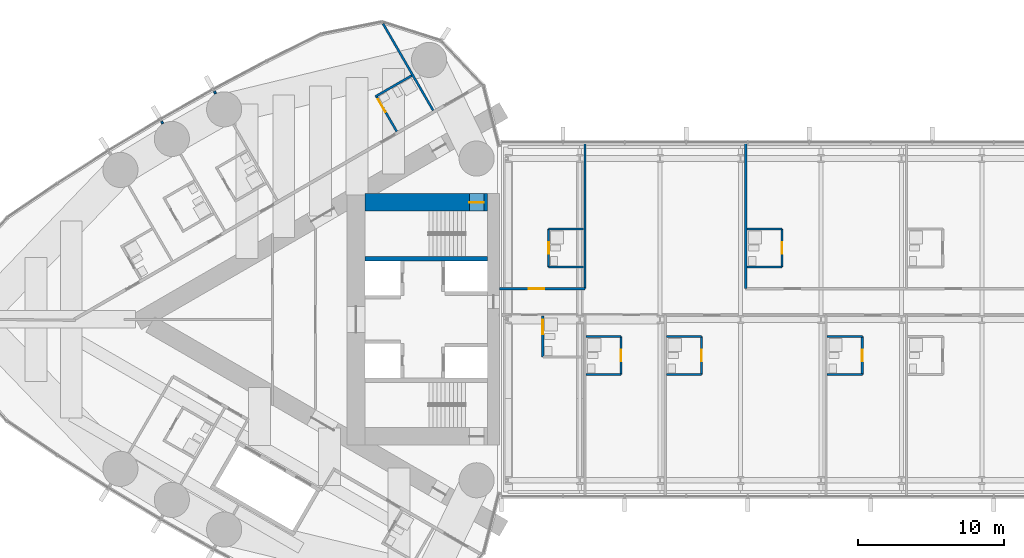
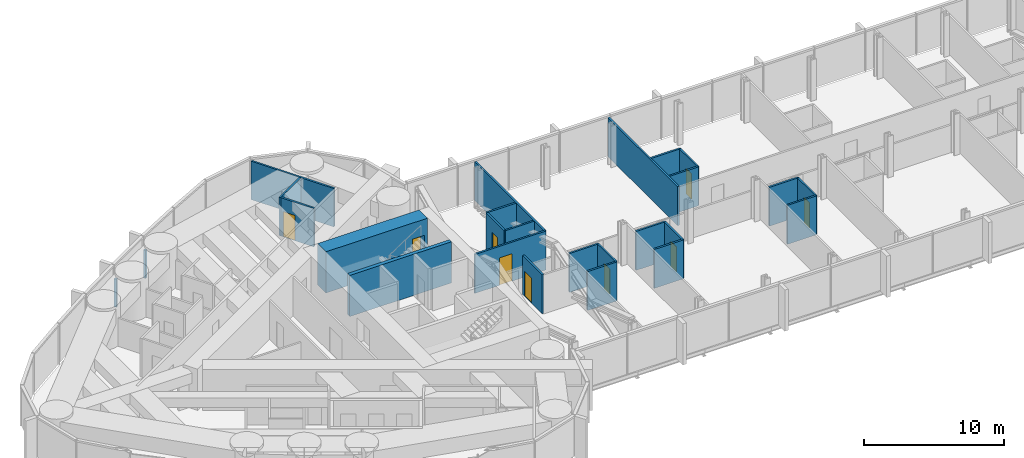
# One storey, part 17 of 24: 26 walls, 9 doors, 9 openings.
"""IFC4 building model written with IfcOpenShell, lengths in metres."""

from ifc_helpers import new_model, si_unit, direction, frame, frame_2d, origin, place, context, subcontext, project, spatial, rectangle, extrude, material, layer, layer_set, type_object, element, fill, save


model = new_model("IFC4")

# Units and contexts
model_context = context("Model", 3, precision=1e-05, world=origin(), true_north=direction((0.0, 1.0)))
body_context = subcontext(model_context, "Body", "Model", "MODEL_VIEW")
ifc_project = project(units=[si_unit("LENGTHUNIT", "METRE"), si_unit("AREAUNIT", "SQUARE_METRE"), si_unit("VOLUMEUNIT", "CUBIC_METRE"), si_unit("PLANEANGLEUNIT", "RADIAN"), si_unit("MASSUNIT", "GRAM", prefix="KILO")], contexts=[model_context])

# Site, building, storey
site_placement = place(None, origin())
site = spatial("IfcSite", under=ifc_project, at=site_placement, CompositionType="ELEMENT")
building_placement = place(site_placement, origin())
building = spatial("IfcBuilding", under=site, at=building_placement, Name="Lancet Gate Hotel", CompositionType="ELEMENT")
storey_placement = place(building_placement, frame((0.0, 0.0, 236.89990234375)))
storey = spatial("IfcBuildingStorey", under=building, at=storey_placement, Name="L63", CompositionType="ELEMENT", Elevation=236.89990234375)

# Wall
ifc_material_1 = material(Name="Moisture resistant board partition")
ifc_layer_1 = layer(ifc_material_1, 0.14990234375)
ifc_layer_set_1 = layer_set([ifc_layer_1], Name="Bathroom wall 150")
wall_type_1 = type_object("IfcWallType", Name="Bathroom wall 150", PredefinedType="PARTITIONING", material=ifc_layer_set_1)
wall_1_placement = place(storey_placement, frame((-33.486572265625, 16.6748046875, 0.0), z_axis=(0.0, 0.0, 1.0), x_axis=(-0.866039941686, -0.499974818771, 0.0)))
element("IfcWall", 1, at=wall_1_placement, inside=storey, type_object=wall_type_1, Name="T1 bathroom wall 150 L63", PredefinedType="PARTITIONING", context=body_context, shape_type="SweptSolid", body=[
    extrude(rectangle(XDim=2.875244140625, YDim=0.14990234375, at=frame_2d((1.4375, 0.0))), origin(), (0.0, 0.0, 1.0), 3.35009765625),
])

# Wall, opening, door
wall_2_placement = place(storey_placement, frame((-34.511474609375, 12.849853515625, 0.0), z_axis=(0.0, 0.0, 1.0), x_axis=(-0.500011755427, 0.866018616679, 0.0)))
wall_2 = element("IfcWall", 2, at=wall_2_placement, inside=storey, type_object=wall_type_1, Name="T1 bathroom wall 150 L63", PredefinedType="PARTITIONING", context=body_context, shape_type="SweptSolid", body=[
    extrude(rectangle(XDim=2.80029296875, YDim=0.14990234375, at=frame_2d((1.400146484375, 0.0))), origin(), (0.0, 0.0, 1.0), 3.35009765625),
])
opening_1_placement = place(wall_2_placement, frame((1.550048828125, 0.0, 0.0)))
opening_1 = element("IfcOpeningElement", 3, at=opening_1_placement, cuts=wall_2, Name="Opening 6302-B", PredefinedType="OPENING", context=body_context, shape_type="SweptSolid", body=[
    extrude(rectangle(XDim=1.0, YDim=2.199951171875, at=frame_2d((0.5, 1.10009765625))), frame((0.0, 0.0849609375, 0.0), z_axis=(0.0, -1.0, 0.0), x_axis=(1.0, 0.0, 0.0)), (0.0, 0.0, 1.0), 0.169921875),
])
ifc_material_2 = material(Name="Timber door set", Category="wood")
door_type_1 = type_object("IfcDoorType", Name="Accessible en-suite door 1000", OperationType="SINGLE_SWING_RIGHT", PredefinedType="DOOR", material=ifc_material_2)
door_1_placement = place(opening_1_placement, origin())
door_1 = element("IfcDoor", 4, at=door_1_placement, inside=storey, type_object=door_type_1, Name="6302-B", OperationType="SINGLE_SWING_RIGHT", OverallHeight=2.199951171875, OverallWidth=1.0, PredefinedType="DOOR", context=body_context, shape_type="SweptSolid", body=[
    extrude(rectangle(XDim=1.0, YDim=2.199951171875, at=frame_2d((0.5, 1.10009765625))), frame((0.0, 0.02490234375, 0.0), z_axis=(0.0, -1.0, 0.0), x_axis=(1.0, 0.0, 0.0)), (0.0, 0.0, 1.0), 0.050048828125),
])
fill(opening_1, door_1)

wall_3_placement = place(storey_placement, frame((-24.52490234375, -2.574951171875, 0.0), z_axis=(0.0, 0.0, 1.0), x_axis=(0.0, 1.0, 0.0)))
wall_3 = element("IfcWall", 5, at=wall_3_placement, inside=storey, type_object=wall_type_1, Name="Bridge block bathroom wall 150 L63", PredefinedType="PARTITIONING", context=body_context, shape_type="SweptSolid", body=[
    extrude(rectangle(XDim=2.800048828125, YDim=0.14990234375, at=frame_2d((1.39990234375, 0.0))), origin(), (0.0, 0.0, 1.0), 3.400146484375),
])
opening_2_placement = place(wall_3_placement, frame((1.550048828125, 0.0, 0.0)))
opening_2 = element("IfcOpeningElement", 6, at=opening_2_placement, cuts=wall_3, Name="Opening B6301-B", PredefinedType="OPENING", context=body_context, shape_type="SweptSolid", body=[
    extrude(rectangle(XDim=1.0, YDim=2.199951171875, at=frame_2d((0.5, 1.10009765625))), frame((0.0, 0.0849609375, 0.0), z_axis=(0.0, -1.0, 0.0), x_axis=(1.0, 0.0, 0.0)), (0.0, 0.0, 1.0), 0.169921875),
])
door_2_placement = place(opening_2_placement, origin())
door_2 = element("IfcDoor", 7, at=door_2_placement, inside=storey, type_object=door_type_1, Name="B6301-B", OperationType="SINGLE_SWING_RIGHT", OverallHeight=2.199951171875, OverallWidth=1.0, PredefinedType="DOOR", context=body_context, shape_type="SweptSolid", body=[
    extrude(rectangle(XDim=1.0, YDim=2.199951171875, at=frame_2d((0.5, 1.10009765625))), frame((0.0, 0.02490234375, 0.0), z_axis=(0.0, -1.0, 0.0), x_axis=(1.0, 0.0, 0.0)), (0.0, 0.0, 1.0), 0.050048828125),
])
fill(opening_2, door_2)

# Walls
for number, where, z_axis, x_axis, name in (
    (8, (-21.574951171875, -3.77490234375, 0.0), (0.0, 0.0, 1.0), (1.0, 0.0, 0.0), "Bridge block bathroom wall 150 L63"),
    (9, (-21.574951171875, -1.175048828125, 0.0), (0.0, 0.0, 1.0), (1.0, 0.0, 0.0), "Bridge block bathroom wall 150 L63"),
):
    element("IfcWall", number, at=place(storey_placement, frame(where, z_axis=z_axis, x_axis=x_axis)), inside=storey, type_object=wall_type_1, Name=name, PredefinedType="PARTITIONING", context=body_context, shape_type="SweptSolid", body=[
        extrude(rectangle(XDim=2.39990234375, YDim=0.14990234375, at=frame_2d((1.199951171875, 0.0))), origin(), (0.0, 0.0, 1.0), 3.400146484375),
    ])

# Wall, opening, door
wall_4_placement = place(storey_placement, frame((-19.175048828125, -3.77490234375, 0.0), z_axis=(0.0, 0.0, 1.0), x_axis=(0.0, 1.0, 0.0)))
wall_4 = element("IfcWall", 10, at=wall_4_placement, inside=storey, type_object=wall_type_1, Name="Bridge block bathroom wall 150 L63", PredefinedType="PARTITIONING", context=body_context, shape_type="SweptSolid", body=[
    extrude(rectangle(XDim=2.599853515625, YDim=0.14990234375, at=frame_2d((1.2998046875, 0.0))), origin(), (0.0, 0.0, 1.0), 3.400146484375),
])
opening_3_placement = place(wall_4_placement, frame((0.89990234375, 0.0, 0.0)))
opening_3 = element("IfcOpeningElement", 11, at=opening_3_placement, cuts=wall_4, Name="Opening B6302-B", PredefinedType="OPENING", context=body_context, shape_type="SweptSolid", body=[
    extrude(rectangle(XDim=0.800048828125, YDim=2.199951171875, at=frame_2d((0.39990234375, 1.10009765625))), frame((0.0, 0.0849609375, 0.0), z_axis=(0.0, -1.0, 0.0), x_axis=(1.0, 0.0, 0.0)), (0.0, 0.0, 1.0), 0.169921875),
])
ifc_material_3 = material(Name="Timber door set", Category="wood")
door_type_2 = type_object("IfcDoorType", Name="Bathroom door 800", OperationType="SINGLE_SWING_RIGHT", PredefinedType="DOOR", material=ifc_material_3)
door_3_placement = place(opening_3_placement, origin())
door_3 = element("IfcDoor", 12, at=door_3_placement, inside=storey, type_object=door_type_2, Name="B6302-B", OperationType="SINGLE_SWING_RIGHT", OverallHeight=2.199951171875, OverallWidth=0.800048828125, PredefinedType="DOOR", context=body_context, shape_type="SweptSolid", body=[
    extrude(rectangle(XDim=0.800048828125, YDim=2.199951171875, at=frame_2d((0.39990234375, 1.10009765625))), frame((0.0, 0.02490234375, 0.0), z_axis=(0.0, -1.0, 0.0), x_axis=(1.0, 0.0, 0.0)), (0.0, 0.0, 1.0), 0.050048828125),
])
fill(opening_3, door_3)

# Walls
for number, where, z_axis, x_axis, name in (
    (13, (-16.074951171875, -3.77490234375, 0.0), (0.0, 0.0, 1.0), (1.0, 0.0, 0.0), "Bridge block bathroom wall 150 L63"),
    (14, (-16.074951171875, -1.175048828125, 0.0), (0.0, 0.0, 1.0), (1.0, 0.0, 0.0), "Bridge block bathroom wall 150 L63"),
):
    element("IfcWall", number, at=place(storey_placement, frame(where, z_axis=z_axis, x_axis=x_axis)), inside=storey, type_object=wall_type_1, Name=name, PredefinedType="PARTITIONING", context=body_context, shape_type="SweptSolid", body=[
        extrude(rectangle(XDim=2.39990234375, YDim=0.14990234375, at=frame_2d((1.199951171875, 0.0))), origin(), (0.0, 0.0, 1.0), 3.400146484375),
    ])

# Wall, opening, door
wall_5_placement = place(storey_placement, frame((-13.675048828125, -3.77490234375, 0.0), z_axis=(0.0, 0.0, 1.0), x_axis=(0.0, 1.0, 0.0)))
wall_5 = element("IfcWall", 15, at=wall_5_placement, inside=storey, type_object=wall_type_1, Name="Bridge block bathroom wall 150 L63", PredefinedType="PARTITIONING", context=body_context, shape_type="SweptSolid", body=[
    extrude(rectangle(XDim=2.599853515625, YDim=0.14990234375, at=frame_2d((1.2998046875, 0.0))), origin(), (0.0, 0.0, 1.0), 3.400146484375),
])
opening_4_placement = place(wall_5_placement, frame((0.89990234375, 0.0, 0.0)))
opening_4 = element("IfcOpeningElement", 16, at=opening_4_placement, cuts=wall_5, Name="Opening B6303-B", PredefinedType="OPENING", context=body_context, shape_type="SweptSolid", body=[
    extrude(rectangle(XDim=0.800048828125, YDim=2.199951171875, at=frame_2d((0.39990234375, 1.10009765625))), frame((0.0, 0.0849609375, 0.0), z_axis=(0.0, -1.0, 0.0), x_axis=(1.0, 0.0, 0.0)), (0.0, 0.0, 1.0), 0.169921875),
])
door_4_placement = place(opening_4_placement, origin())
door_4 = element("IfcDoor", 17, at=door_4_placement, inside=storey, type_object=door_type_2, Name="B6303-B", OperationType="SINGLE_SWING_RIGHT", OverallHeight=2.199951171875, OverallWidth=0.800048828125, PredefinedType="DOOR", context=body_context, shape_type="SweptSolid", body=[
    extrude(rectangle(XDim=0.800048828125, YDim=2.199951171875, at=frame_2d((0.39990234375, 1.10009765625))), frame((0.0, 0.02490234375, 0.0), z_axis=(0.0, -1.0, 0.0), x_axis=(1.0, 0.0, 0.0)), (0.0, 0.0, 1.0), 0.050048828125),
])
fill(opening_4, door_4)

# Walls
for number, where, z_axis, x_axis, name in (
    (18, (-5.074951171875, -3.77490234375, 0.0), (0.0, 0.0, 1.0), (1.0, 0.0, 0.0), "Bridge block bathroom wall 150 L63"),
    (19, (-5.074951171875, -1.175048828125, 0.0), (0.0, 0.0, 1.0), (1.0, 0.0, 0.0), "Bridge block bathroom wall 150 L63"),
):
    element("IfcWall", number, at=place(storey_placement, frame(where, z_axis=z_axis, x_axis=x_axis)), inside=storey, type_object=wall_type_1, Name=name, PredefinedType="PARTITIONING", context=body_context, shape_type="SweptSolid", body=[
        extrude(rectangle(XDim=2.39990234375, YDim=0.14990234375, at=frame_2d((1.199951171875, 0.0))), origin(), (0.0, 0.0, 1.0), 3.400146484375),
    ])

# Wall, opening, door
wall_6_placement = place(storey_placement, frame((-2.675048828125, -3.77490234375, 0.0), z_axis=(0.0, 0.0, 1.0), x_axis=(0.0, 1.0, 0.0)))
wall_6 = element("IfcWall", 20, at=wall_6_placement, inside=storey, type_object=wall_type_1, Name="Bridge block bathroom wall 150 L63", PredefinedType="PARTITIONING", context=body_context, shape_type="SweptSolid", body=[
    extrude(rectangle(XDim=2.599853515625, YDim=0.14990234375, at=frame_2d((1.2998046875, 0.0))), origin(), (0.0, 0.0, 1.0), 3.400146484375),
])
opening_5_placement = place(wall_6_placement, frame((0.89990234375, 0.0, 0.0)))
opening_5 = element("IfcOpeningElement", 21, at=opening_5_placement, cuts=wall_6, Name="Opening B6305-B", PredefinedType="OPENING", context=body_context, shape_type="SweptSolid", body=[
    extrude(rectangle(XDim=0.800048828125, YDim=2.199951171875, at=frame_2d((0.39990234375, 1.10009765625))), frame((0.0, 0.0849609375, 0.0), z_axis=(0.0, -1.0, 0.0), x_axis=(1.0, 0.0, 0.0)), (0.0, 0.0, 1.0), 0.169921875),
])
door_5_placement = place(opening_5_placement, origin())
door_5 = element("IfcDoor", 22, at=door_5_placement, inside=storey, type_object=door_type_2, Name="B6305-B", OperationType="SINGLE_SWING_RIGHT", OverallHeight=2.199951171875, OverallWidth=0.800048828125, PredefinedType="DOOR", context=body_context, shape_type="SweptSolid", body=[
    extrude(rectangle(XDim=0.800048828125, YDim=2.199951171875, at=frame_2d((0.39990234375, 1.10009765625))), frame((0.0, 0.02490234375, 0.0), z_axis=(0.0, -1.0, 0.0), x_axis=(1.0, 0.0, 0.0)), (0.0, 0.0, 1.0), 0.050048828125),
])
fill(opening_5, door_5)

# Walls
for number, where, z_axis, x_axis, name in (
    (23, (-24.125, 6.175048828125, 0.0), (0.0, 0.0, 1.0), (1.0, 0.0, 0.0), "Bridge block bathroom wall 150 L63"),
    (24, (-24.125, 3.574951171875, 0.0), (0.0, 0.0, 1.0), (1.0, 0.0, 0.0), "Bridge block bathroom wall 150 L63"),
):
    element("IfcWall", number, at=place(storey_placement, frame(where, z_axis=z_axis, x_axis=x_axis)), inside=storey, type_object=wall_type_1, Name=name, PredefinedType="PARTITIONING", context=body_context, shape_type="SweptSolid", body=[
        extrude(rectangle(XDim=2.39990234375, YDim=0.14990234375, at=frame_2d((1.199951171875, 0.0))), origin(), (0.0, 0.0, 1.0), 3.400146484375),
    ])

# Wall, opening, door
wall_7_placement = place(storey_placement, frame((-24.125, 3.574951171875, 0.0), z_axis=(0.0, 0.0, 1.0), x_axis=(0.0, 1.0, 0.0)))
wall_7 = element("IfcWall", 25, at=wall_7_placement, inside=storey, type_object=wall_type_1, Name="Bridge block bathroom wall 150 L63", PredefinedType="PARTITIONING", context=body_context, shape_type="SweptSolid", body=[
    extrude(rectangle(XDim=2.60009765625, YDim=0.14990234375, at=frame_2d((1.300048828125, 0.0))), origin(), (0.0, 0.0, 1.0), 3.400146484375),
])
opening_6_placement = place(wall_7_placement, frame((0.89990234375, 0.0, 0.0)))
opening_6 = element("IfcOpeningElement", 26, at=opening_6_placement, cuts=wall_7, Name="Opening B6311-B", PredefinedType="OPENING", context=body_context, shape_type="SweptSolid", body=[
    extrude(rectangle(XDim=0.800048828125, YDim=2.199951171875, at=frame_2d((0.39990234375, 1.10009765625))), frame((0.0, 0.0849609375, 0.0), z_axis=(0.0, -1.0, 0.0), x_axis=(1.0, 0.0, 0.0)), (0.0, 0.0, 1.0), 0.169921875),
])
door_6_placement = place(opening_6_placement, origin())
door_6 = element("IfcDoor", 27, at=door_6_placement, inside=storey, type_object=door_type_2, Name="B6311-B", OperationType="SINGLE_SWING_RIGHT", OverallHeight=2.199951171875, OverallWidth=0.800048828125, PredefinedType="DOOR", context=body_context, shape_type="SweptSolid", body=[
    extrude(rectangle(XDim=0.800048828125, YDim=2.199951171875, at=frame_2d((0.39990234375, 1.10009765625))), frame((0.0, 0.02490234375, 0.0), z_axis=(0.0, -1.0, 0.0), x_axis=(1.0, 0.0, 0.0)), (0.0, 0.0, 1.0), 0.050048828125),
])
fill(opening_6, door_6)

# Walls
for number, where, z_axis, x_axis, name in (
    (28, (-10.574951171875, 6.175048828125, 0.0), (0.0, 0.0, 1.0), (1.0, 0.0, 0.0), "Bridge block bathroom wall 150 L63"),
    (29, (-10.574951171875, 3.574951171875, 0.0), (0.0, 0.0, 1.0), (1.0, 0.0, 0.0), "Bridge block bathroom wall 150 L63"),
):
    element("IfcWall", number, at=place(storey_placement, frame(where, z_axis=z_axis, x_axis=x_axis)), inside=storey, type_object=wall_type_1, Name=name, PredefinedType="PARTITIONING", context=body_context, shape_type="SweptSolid", body=[
        extrude(rectangle(XDim=2.39990234375, YDim=0.14990234375, at=frame_2d((1.199951171875, 0.0))), origin(), (0.0, 0.0, 1.0), 3.400146484375),
    ])

# Wall, opening, door
wall_8_placement = place(storey_placement, frame((-8.175048828125, 3.574951171875, 0.0), z_axis=(0.0, 0.0, 1.0), x_axis=(0.0, 1.0, 0.0)))
wall_8 = element("IfcWall", 30, at=wall_8_placement, inside=storey, type_object=wall_type_1, Name="Bridge block bathroom wall 150 L63", PredefinedType="PARTITIONING", context=body_context, shape_type="SweptSolid", body=[
    extrude(rectangle(XDim=2.60009765625, YDim=0.14990234375, at=frame_2d((1.300048828125, 0.0))), origin(), (0.0, 0.0, 1.0), 3.400146484375),
])
opening_7_placement = place(wall_8_placement, frame((0.89990234375, 0.0, 0.0)))
opening_7 = element("IfcOpeningElement", 31, at=opening_7_placement, cuts=wall_8, Name="Opening B6314-B", PredefinedType="OPENING", context=body_context, shape_type="SweptSolid", body=[
    extrude(rectangle(XDim=0.800048828125, YDim=2.199951171875, at=frame_2d((0.39990234375, 1.10009765625))), frame((0.0, 0.0849609375, 0.0), z_axis=(0.0, -1.0, 0.0), x_axis=(1.0, 0.0, 0.0)), (0.0, 0.0, 1.0), 0.169921875),
])
door_7_placement = place(opening_7_placement, origin())
door_7 = element("IfcDoor", 32, at=door_7_placement, inside=storey, type_object=door_type_2, Name="B6314-B", OperationType="SINGLE_SWING_RIGHT", OverallHeight=2.199951171875, OverallWidth=0.800048828125, PredefinedType="DOOR", context=body_context, shape_type="SweptSolid", body=[
    extrude(rectangle(XDim=0.800048828125, YDim=2.199951171875, at=frame_2d((0.39990234375, 1.10009765625))), frame((0.0, 0.02490234375, 0.0), z_axis=(0.0, -1.0, 0.0), x_axis=(1.0, 0.0, 0.0)), (0.0, 0.0, 1.0), 0.050048828125),
])
fill(opening_7, door_7)

ifc_material_4 = material(Name="Gypsum board partition")
ifc_layer_2 = layer(ifc_material_4, 0.14990234375)
ifc_layer_set_2 = layer_set([ifc_layer_2], Name="Block corridor wall 150")
wall_type_2 = type_object("IfcWallType", Name="Block corridor wall 150", PredefinedType="PARTITIONING", material=ifc_layer_set_2)
wall_9_placement = place(storey_placement, frame((-27.5, 2.10009765625, 0.0), z_axis=(0.0, 0.0, 1.0), x_axis=(1.0, 0.0, 0.0)))
wall_9 = element("IfcWall", 33, at=wall_9_placement, inside=storey, type_object=wall_type_2, Name="Bridge block block corridor wall 150 L63", PredefinedType="PARTITIONING", context=body_context, shape_type="SweptSolid", body=[
    extrude(rectangle(XDim=5.85009765625, YDim=0.14990234375, at=frame_2d((2.925048828125, 0.0))), origin(), (0.0, 0.0, 1.0), 3.400146484375),
])
opening_8_placement = place(wall_9_placement, frame((2.02490234375, 0.0, 0.0)))
opening_8 = element("IfcOpeningElement", 34, at=opening_8_placement, cuts=wall_9, Name="Opening B6311", PredefinedType="OPENING", context=body_context, shape_type="SweptSolid", body=[
    extrude(rectangle(XDim=1.050048828125, YDim=2.39990234375, at=frame_2d((0.52490234375, 1.199951171875))), frame((0.0, 0.0849609375, 0.0), z_axis=(0.0, -1.0, 0.0), x_axis=(1.0, 0.0, 0.0)), (0.0, 0.0, 1.0), 0.169921875),
])
ifc_material_5 = material(Name="Timber door set", Category="wood")
door_type_3 = type_object("IfcDoorType", Name="Suite entry door 1050", OperationType="SINGLE_SWING_LEFT", PredefinedType="DOOR", material=ifc_material_5)
door_8_placement = place(opening_8_placement, origin())
door_8 = element("IfcDoor", 35, at=door_8_placement, inside=storey, type_object=door_type_3, Name="B6311", OperationType="SINGLE_SWING_LEFT", OverallHeight=2.39990234375, OverallWidth=1.050048828125, PredefinedType="DOOR", context=body_context, shape_type="SweptSolid", body=[
    extrude(rectangle(XDim=1.050048828125, YDim=2.39990234375, at=frame_2d((0.52490234375, 1.199951171875))), frame((0.0, 0.02490234375, 0.0), z_axis=(0.0, -1.0, 0.0), x_axis=(1.0, 0.0, 0.0)), (0.0, 0.0, 1.0), 0.050048828125),
])
fill(opening_8, door_8)

ifc_material_6 = material(Name="Concrete C70/85", Category="concrete")
ifc_layer_3 = layer(ifc_material_6, 1.199951171875)
ifc_layer_set_3 = layer_set([ifc_layer_3], Name="Core wall 1200")
wall_type_3 = type_object("IfcWallType", Name="Core wall 1200", PredefinedType="SHEAR", material=ifc_layer_set_3)
wall_10_placement = place(storey_placement, frame((-28.300048828125, 8.0, 0.0), z_axis=(0.0, 0.0, 1.0), x_axis=(-1.0, 0.0, 0.0)))
wall_10 = element("IfcWall", 36, at=wall_10_placement, inside=storey, type_object=wall_type_3, Name="T1 core wall side-S L63", PredefinedType="SHEAR", context=body_context, shape_type="SweptSolid", body=[
    extrude(rectangle(XDim=8.39990234375, YDim=1.199951171875, at=frame_2d((4.199951171875, 0.0))), origin(), (0.0, 0.0, 1.0), 3.60009765625),
])
opening_9_placement = place(wall_10_placement, frame((0.25, 0.0, 0.0)))
opening_9 = element("IfcOpeningElement", 37, at=opening_9_placement, cuts=wall_10, Name="Opening T1-L63-ST1", PredefinedType="OPENING", context=body_context, shape_type="SweptSolid", body=[
    extrude(rectangle(XDim=1.0, YDim=2.199951171875, at=frame_2d((0.5, 1.10009765625))), frame((0.0, 0.60986328125, 0.0), z_axis=(0.0, -1.0, 0.0), x_axis=(1.0, 0.0, 0.0)), (0.0, 0.0, 1.0), 1.219970703125),
])
ifc_material_7 = material(Name="Timber door set", Category="wood")
door_type_4 = type_object("IfcDoorType", Name="Stair door 1000", OperationType="SINGLE_SWING_RIGHT", PredefinedType="DOOR", material=ifc_material_7)
door_9_placement = place(opening_9_placement, origin())
door_9 = element("IfcDoor", 38, at=door_9_placement, inside=storey, type_object=door_type_4, Name="T1-L63-ST1", OperationType="SINGLE_SWING_RIGHT", OverallHeight=2.199951171875, OverallWidth=1.0, PredefinedType="DOOR", context=body_context, shape_type="SweptSolid", body=[
    extrude(rectangle(XDim=1.0, YDim=2.199951171875, at=frame_2d((0.5, 1.10009765625))), frame((0.0, 0.02490234375, 0.0), z_axis=(0.0, -1.0, 0.0), x_axis=(1.0, 0.0, 0.0)), (0.0, 0.0, 1.0), 0.050048828125),
])
fill(opening_9, door_9)

# Walls
ifc_material_8 = material(Name="Gypsum board partition")
ifc_layer_4 = layer(ifc_material_8, 0.14990234375)
ifc_layer_set_4 = layer_set([ifc_layer_4], Name="Party wall 150")
wall_type_4 = type_object("IfcWallType", Name="Party wall 150", PredefinedType="PARTITIONING", material=ifc_layer_set_4)
wall_11_placement = place(storey_placement, frame((-32.021728515625, 14.287353515625, 0.0), z_axis=(0.0, 0.0, 1.0), x_axis=(-0.50000019414, 0.866025291697, 0.0)))
element("IfcWall", 39, at=wall_11_placement, inside=storey, type_object=wall_type_4, Name="T1 party wall 150 L63", PredefinedType="PARTITIONING", context=body_context, shape_type="SweptSolid", body=[
    extrude(rectangle(XDim=6.84814453125, YDim=0.14990234375, at=frame_2d((3.424072265625, 0.0))), origin(), (0.0, 0.0, 1.0), 3.35009765625),
])
wall_12_placement = place(storey_placement, frame((-46.89794921875, 15.438720703125, 0.0), z_axis=(0.0, 0.0, 1.0), x_axis=(-0.500232303069, 0.865891241997, 0.0)))
element("IfcWall", 40, at=wall_12_placement, inside=storey, type_object=wall_type_4, Name="T1 party wall 150 L63", PredefinedType="PARTITIONING", context=body_context, shape_type="SweptSolid", body=[
    extrude(rectangle(XDim=0.1796875, YDim=0.14990234375, at=frame_2d((0.08984375, 0.0))), origin(), (0.0, 0.0, 1.0), 2.4501953125),
])
wall_13_placement = place(storey_placement, frame((-50.507568359375, 13.392333984375, 0.0), z_axis=(0.0, 0.0, 1.0), x_axis=(-0.499644091975, 0.866230789891, 0.0)))
element("IfcWall", 41, at=wall_13_placement, inside=storey, type_object=wall_type_4, Name="T1 party wall 150 L63", PredefinedType="PARTITIONING", context=body_context, shape_type="SweptSolid", body=[
    extrude(rectangle(XDim=0.179931640625, YDim=0.14990234375, at=frame_2d((0.08984375, 0.0))), origin(), (0.0, 0.0, 1.0), 2.4501953125),
])
for number, where, z_axis, x_axis, name in (
    (42, (-21.64990234375, 2.10009765625, 0.0), (0.0, 0.0, 1.0), (0.0, 1.0, 0.0), "Bridge block party wall 150 L63"),
    (43, (-10.64990234375, 2.10009765625, 0.0), (0.0, 0.0, 1.0), (0.0, 1.0, 0.0), "Bridge block party wall 150 L63"),
):
    element("IfcWall", number, at=place(storey_placement, frame(where, z_axis=z_axis, x_axis=x_axis)), inside=storey, type_object=wall_type_4, Name=name, PredefinedType="PARTITIONING", context=body_context, shape_type="SweptSolid", body=[
        extrude(rectangle(XDim=9.969970703125, YDim=0.14990234375, at=frame_2d((4.98486328125, 0.0))), origin(), (0.0, 0.0, 1.0), 3.400146484375),
    ])
ifc_material_9 = material(Name="Concrete C50/60", Category="concrete")
ifc_layer_5 = layer(ifc_material_9, 0.300048828125)
ifc_layer_set_5 = layer_set([ifc_layer_5], Name="Stair enclosure wall 300")
wall_type_5 = type_object("IfcWallType", Name="Stair enclosure wall 300", PredefinedType="SHEAR", material=ifc_layer_set_5)
wall_14_placement = place(storey_placement, frame((-28.300048828125, 4.14990234375, 0.0), z_axis=(0.0, 0.0, 1.0), x_axis=(-1.0, 0.0, 0.0)))
element("IfcWall", 44, at=wall_14_placement, inside=storey, type_object=wall_type_5, Name="T1 core wall stair-S L63", PredefinedType="SHEAR", context=body_context, shape_type="SweptSolid", body=[
    extrude(rectangle(XDim=8.39990234375, YDim=0.300048828125, at=frame_2d((4.199951171875, 0.0))), origin(), (0.0, 0.0, 1.0), 3.60009765625),
])

save(model, "model.ifc")
